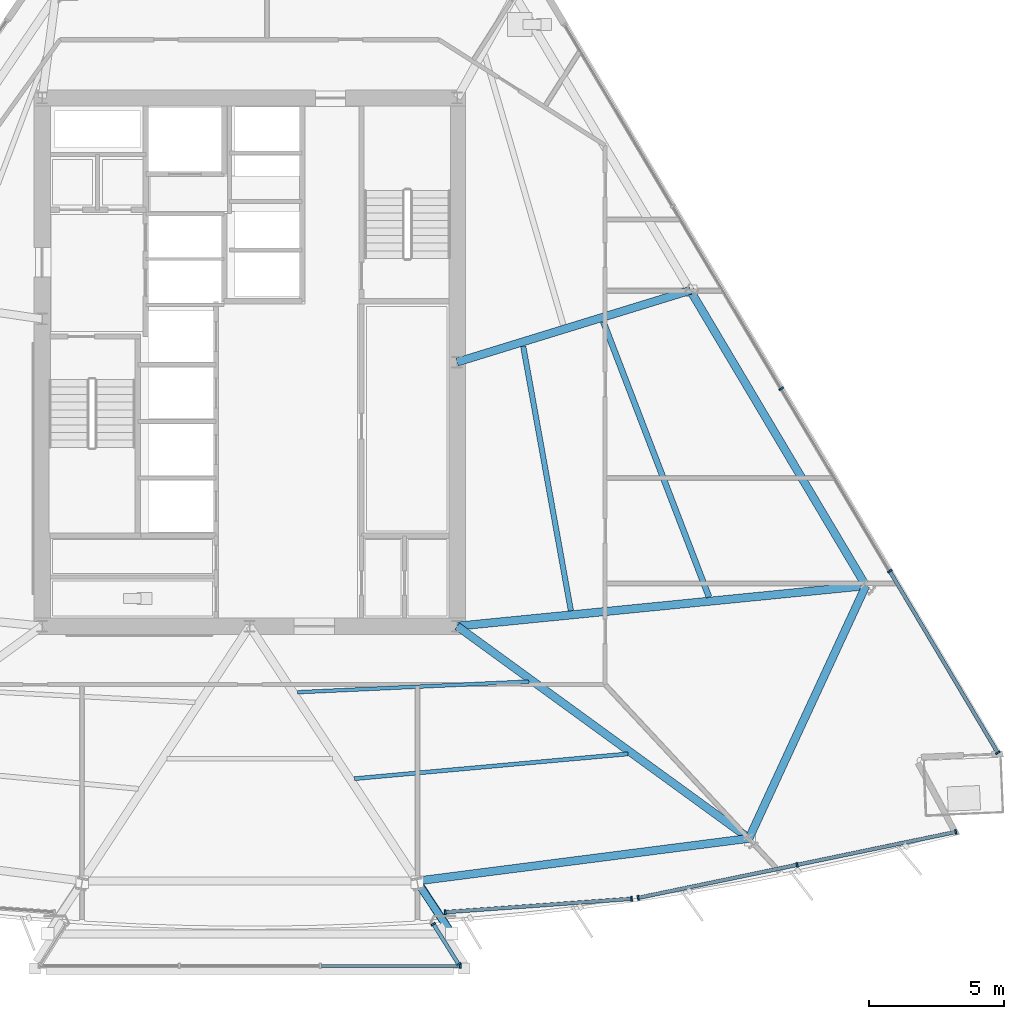
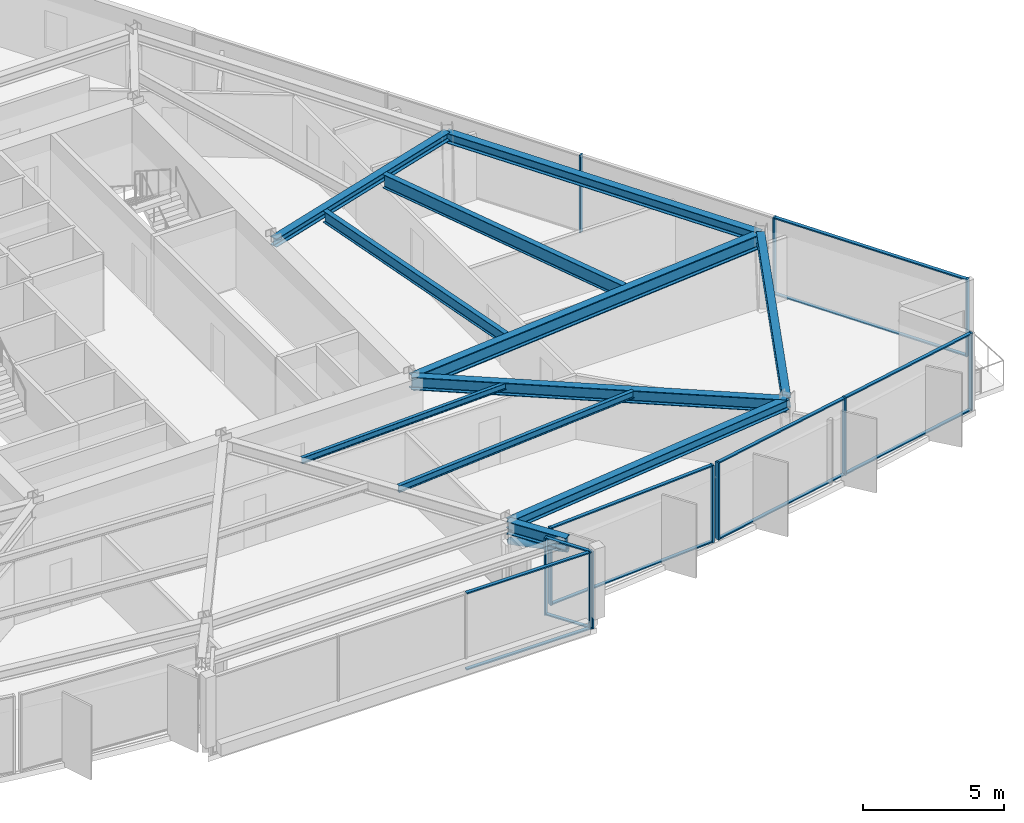
# One storey, part 4 of 15: 24 members, 11 beams, 5 elements without a shape of their own.
"""IFC4 building model written with IfcOpenShell, lengths in metres."""

import ifcopenshell
import ifcopenshell.guid

model = None  # the IFC model being written
_history = None  # IfcOwnerHistory: only IFC2X3 demands one
_inside = {}  # id of a spatial element -> (the spatial element, [elements in it])
_under = {}  # id of a project, library or spatial element -> (it, [spatial elements below it])
_declared = {}  # id of a project -> (the project, [libraries it declares])
_typed = {}  # id of a type object -> (the type object, [elements of that type])
_made_of = {}  # id of a material, layer set ... -> (it, [elements and type objects made of it])


def new_model(schema):
    """Start an empty IFC model of exactly this schema.

    Asked for "IFC4X3", IfcOpenShell would pick the latest addendum, in which some entities
    have other attributes; the version numbers below select the first issue.
    IFC2X3 requires an IfcOwnerHistory on every rooted entity: one is made here for all.
    """
    global model, _history
    if schema == "IFC4X3":
        model = ifcopenshell.file(schema_version=(4, 3, 0, 0))
    else:
        model = ifcopenshell.file(schema=schema)
    _inside.clear()
    _under.clear()
    _declared.clear()
    _typed.clear()
    _made_of.clear()
    _history = None
    if model.schema == "IFC2X3":
        org = make("IfcOrganization", Name="unknown")
        user = make(
            "IfcPersonAndOrganization",
            ThePerson=make("IfcPerson", FamilyName="unknown"),
            TheOrganization=org,
        )
        app = make(
            "IfcApplication",
            ApplicationDeveloper=org,
            Version="unknown",
            ApplicationFullName="unknown",
            ApplicationIdentifier="unknown",
        )
        _history = make(
            "IfcOwnerHistory",
            OwningUser=user,
            OwningApplication=app,
            ChangeAction="ADDED",
            CreationDate=0,
        )
    return model


def make(cls, **values):
    """One entity of the class cls with the attributes given. An attribute that is None is left unset."""
    return model.create_entity(
        cls, **{name: value for name, value in values.items() if value is not None}
    )


def rooted(cls, **values):
    """An entity with a GlobalId (a new one), such as an element, a storey or a relation."""
    return make(cls, GlobalId=ifcopenshell.guid.new(), OwnerHistory=_history, **values)


def si_unit(unit_type, name, prefix=None):
    """IfcSIUnit, for example si_unit("LENGTHUNIT", "METRE", prefix="MILLI")."""
    return make("IfcSIUnit", UnitType=unit_type, Prefix=prefix, Name=name)


def assignment(units):
    """IfcUnitAssignment: the units of a project."""
    return None if units is None else make("IfcUnitAssignment", Units=units)


def point(xyz):
    """IfcCartesianPoint."""
    return None if xyz is None else make("IfcCartesianPoint", Coordinates=xyz)


def direction(xyz):
    """IfcDirection."""
    return None if xyz is None else make("IfcDirection", DirectionRatios=xyz)


def frame(location, z_axis=None, x_axis=None):
    """IfcAxis2Placement3D, a coordinate frame: its origin and axes. An axis left out is left unset."""
    return make(
        "IfcAxis2Placement3D",
        Location=point(location),
        Axis=direction(z_axis),
        RefDirection=direction(x_axis),
    )


def frame_2d(location, x_axis=None):
    """IfcAxis2Placement2D, a coordinate frame in the plane: its origin and x axis."""
    return make(
        "IfcAxis2Placement2D", Location=point(location), RefDirection=direction(x_axis)
    )


def origin():
    """The frame at (0, 0, 0) with its axes left unset."""
    return frame((0.0, 0.0, 0.0))


def origin_2d():
    """The frame at (0, 0) in the plane with its x axis left unset."""
    return frame_2d((0.0, 0.0))


def place(relative_to, where):
    """IfcLocalPlacement: puts the frame where relative to a parent placement (None: the world)."""
    return make(
        "IfcLocalPlacement", PlacementRelTo=relative_to, RelativePlacement=where
    )


def context(
    kind, dimensions, precision=None, world=None, true_north=None, identifier=None
):
    """IfcGeometricRepresentationContext, for example the 3D "Model" context."""
    return make(
        "IfcGeometricRepresentationContext",
        ContextIdentifier=identifier,
        ContextType=kind,
        CoordinateSpaceDimension=dimensions,
        Precision=precision,
        WorldCoordinateSystem=world,
        TrueNorth=true_north,
    )


def subcontext(parent, identifier, kind, view, scale=None):
    """IfcGeometricRepresentationSubContext, for example "Body" below "Model"."""
    return make(
        "IfcGeometricRepresentationSubContext",
        ContextIdentifier=identifier,
        ContextType=kind,
        ParentContext=parent,
        TargetScale=scale,
        TargetView=view,
    )


def project(units=None, contexts=None):
    """IfcProject with its units and contexts."""
    return rooted(
        "IfcProject",
        Name="project",
        RepresentationContexts=contexts,
        UnitsInContext=assignment(units),
    )


def spatial(cls, under=None, at=None, **own):
    """A site, building, storey or space (cls), placed at a placement, below another one or the project."""
    s = rooted(cls, ObjectPlacement=at, **own)
    if under is not None:
        _under.setdefault(under.id(), (under, []))[1].append(s)
    return s


def profile(cls, at=None, kind="AREA", **sizes):
    """A parametric profile (cls). Its sizes go by their IFC names, for example OverallWidth=200.0."""
    return make(cls, ProfileType=kind, Position=at, **sizes)


def rectangle(**sizes):
    """IfcRectangleProfileDef."""
    return profile("IfcRectangleProfileDef", **sizes)


def hollow_circle(**sizes):
    """IfcCircleHollowProfileDef."""
    return profile("IfcCircleHollowProfileDef", **sizes)


def i_section(**sizes):
    """IfcIShapeProfileDef."""
    return profile("IfcIShapeProfileDef", **sizes)


def extrude(swept, where, along, depth):
    """IfcExtrudedAreaSolid: the profile swept, set in the frame where, extruded along a direction by depth."""
    return make(
        "IfcExtrudedAreaSolid",
        SweptArea=swept,
        Position=where,
        ExtrudedDirection=direction(along),
        Depth=depth,
    )


def shape(context_of_items, identifier, shape_type, items):
    """IfcShapeRepresentation: the items that make up one representation, for example the "Body"."""
    return make(
        "IfcShapeRepresentation",
        ContextOfItems=context_of_items,
        RepresentationIdentifier=identifier,
        RepresentationType=shape_type,
        Items=items,
    )


def material(Name=None, Category=None):
    """IfcMaterial."""
    return make("IfcMaterial", Name=Name, Category=Category)


def material_profile(
    of_material, cross_section, Name=None, Category=None, Priority=None
):
    """IfcMaterialProfile: a cross section and its material."""
    return make(
        "IfcMaterialProfile",
        Name=Name,
        Material=of_material,
        Profile=cross_section,
        Priority=Priority,
        Category=Category,
    )


def profile_set(profiles, Name=None, composite=None):
    """IfcMaterialProfileSet."""
    return make(
        "IfcMaterialProfileSet",
        Name=Name,
        MaterialProfiles=profiles,
        CompositeProfile=composite,
    )


def made_of(thing, what):
    """Note that an element or type object is made of a material, layer set ...; save() writes the relation."""
    if what is not None:
        _made_of.setdefault(what.id(), (what, []))[1].append(thing)
    return thing


def type_object(cls, material=None, **own):
    """A type object (cls), such as IfcWallType, which elements share."""
    return made_of(rooted(cls, **own), material)


def element(
    cls,
    number,
    at=None,
    inside=None,
    cuts=None,
    type_object=None,
    material=None,
    context=None,
    identifier="Body",
    shape_type=None,
    held_by="IfcProductDefinitionShape",
    body=None,
    shapes=None,
    **own,
):
    """One element of the class cls, such as IfcWall. Its Tag is "e" and its number.

    at: its placement. inside: the storey or other place that contains it. cuts: it is an
    opening in that element (IfcRelVoidsElement). A single representation is given by context,
    identifier, shape_type and body (its items); several are given by shapes. held_by: the class
    of the entity that holds the representations. save() writes the other relations.
    """
    e = rooted(cls, Tag="e%d" % number, ObjectPlacement=at, **own)
    if body is not None:
        shapes = [shape(context, identifier, shape_type, body)]
    if shapes is not None:
        e.Representation = make(held_by, Representations=shapes)
    if inside is not None:
        _inside.setdefault(inside.id(), (inside, []))[1].append(e)
    if cuts is not None:
        rooted(
            "IfcRelVoidsElement", RelatingBuildingElement=cuts, RelatedOpeningElement=e
        )
    if type_object is not None:
        _typed.setdefault(type_object.id(), (type_object, []))[1].append(e)
    return made_of(e, material)


def aggregate(whole, parts):
    """IfcRelAggregates: a whole, such as a stair, and the parts it consists of."""
    return rooted("IfcRelAggregates", RelatingObject=whole, RelatedObjects=parts)


def save(model, path):
    """Write the relations noted so far, then the file.

    IfcRelAggregates (storeys below a building ...), IfcRelContainedInSpatialStructure (elements
    in a storey), IfcRelDefinesByType, IfcRelAssociatesMaterial and IfcRelDeclares: one each for
    every whole, place, type object, material and project.
    """
    for whole, parts in _under.values():
        aggregate(whole, parts)
    for where, things in _inside.values():
        rooted(
            "IfcRelContainedInSpatialStructure",
            RelatedElements=things,
            RelatingStructure=where,
        )
    for kind, things in _typed.values():
        rooted("IfcRelDefinesByType", RelatedObjects=things, RelatingType=kind)
    for what, things in _made_of.values():
        rooted("IfcRelAssociatesMaterial", RelatedObjects=things, RelatingMaterial=what)
    for by, libraries in _declared.values():
        rooted("IfcRelDeclares", RelatingContext=by, RelatedDefinitions=libraries)
    model.write(path)


model = new_model("IFC4")

# Units and contexts
model_context = context("Model", 3, precision=1e-05, world=origin(), true_north=direction((0.0, 1.0)))
body_context = subcontext(model_context, "Body", "Model", "MODEL_VIEW")
ifc_project = project(units=[si_unit("LENGTHUNIT", "METRE"), si_unit("AREAUNIT", "SQUARE_METRE"), si_unit("VOLUMEUNIT", "CUBIC_METRE"), si_unit("PLANEANGLEUNIT", "RADIAN"), si_unit("MASSUNIT", "GRAM", prefix="KILO")], contexts=[model_context])

# Site, building, storey
site_placement = place(None, origin())
site = spatial("IfcSite", under=ifc_project, at=site_placement, CompositionType="ELEMENT")
building_placement = place(site_placement, origin())
building = spatial("IfcBuilding", under=site, at=building_placement, Name="Savorim Split Tower", CompositionType="ELEMENT")
storey_placement = place(building_placement, frame((0.0, 0.0, 114.89990234375)))
storey = spatial("IfcBuildingStorey", under=building, at=storey_placement, Name="L30", CompositionType="ELEMENT", Elevation=114.89990234375)

# Beams
ifc_material_1 = material(Name="Steel S355", Category="steel")
ifc_material_profile_1 = material_profile(ifc_material_1, i_section(OverallWidth=0.135009765625, OverallDepth=0.27001953125, WebThickness=0.006591796875, FlangeThickness=0.01025390625, FilletRadius=0.014892578125, at=origin_2d()), Name="IPE 270")
ifc_profile_set_1 = profile_set([ifc_material_profile_1], Name="Steel S355")
beam_type_1 = type_object("IfcBeamType", Name="BM-JST-IPE270", PredefinedType="JOIST", material=ifc_profile_set_1)
beam_1_placement = place(storey_placement, frame((1.774169921875, -11.850830078125, 3.215087890625), z_axis=(0.998935582584, 0.046127018622, 0.0), x_axis=(-0.046127018622, 0.998935582584, 0.0)))
element("IfcBeam", 1, at=beam_1_placement, inside=storey, type_object=beam_type_1, Name="L30 Secondary Floor Joist JS-05", PredefinedType="JOIST", context=body_context, shape_type="SweptSolid", body=[
    extrude(i_section(OverallWidth=0.135009765625, OverallDepth=0.27001953125, WebThickness=0.006591796875, FlangeThickness=0.01025390625, FilletRadius=0.014892578125, at=origin_2d()), origin(), (0.0, 0.0, 1.0), 8.590087890625),
])
ifc_material_profile_2 = material_profile(ifc_material_1, i_section(OverallWidth=0.14990234375, OverallDepth=0.300048828125, WebThickness=0.007080078125, FlangeThickness=0.0107421875, FilletRadius=0.014892578125, at=origin_2d()), Name="IPE 300")
ifc_profile_set_2 = profile_set([ifc_material_profile_2], Name="Steel S355")
beam_type_2 = type_object("IfcBeamType", Name="BM-JST-IPE300", PredefinedType="JOIST", material=ifc_profile_set_2)
beam_2_placement = place(storey_placement, frame((3.885009765625, -15.05859375, 3.2001953125), z_axis=(0.995919470972, 0.090246370223, 0.0), x_axis=(-0.090246370223, 0.995919470972, 0.0)))
element("IfcBeam", 2, at=beam_2_placement, inside=storey, type_object=beam_type_2, Name="L30 Secondary Floor Joist JS-04", PredefinedType="JOIST", context=body_context, shape_type="SweptSolid", body=[
    extrude(i_section(OverallWidth=0.14990234375, OverallDepth=0.300048828125, WebThickness=0.007080078125, FlangeThickness=0.0107421875, FilletRadius=0.014892578125, at=origin_2d()), origin(), (0.0, 0.0, 1.0), 10.193359375),
])
ifc_material_profile_3 = material_profile(ifc_material_1, i_section(OverallWidth=0.199951171875, OverallDepth=0.5, WebThickness=0.01025390625, FlangeThickness=0.01611328125, FilletRadius=0.02099609375, at=origin_2d()), Name="IPE 500")
ifc_profile_set_3 = profile_set([ifc_material_profile_3], Name="Steel S355")
beam_type_3 = type_object("IfcBeamType", Name="BM-JST-IPE500", PredefinedType="JOIST", material=ifc_profile_set_3)
beam_3_placement = place(storey_placement, frame((11.917236328125, -8.822021484375, 3.10009765625), z_axis=(-0.177352752344, 0.984147347319, 0.0), x_axis=(-0.984147347319, -0.177352752344, 0.0)))
element("IfcBeam", 3, at=beam_3_placement, inside=storey, type_object=beam_type_3, Name="L30 Secondary Floor Joist JS-08", PredefinedType="JOIST", context=body_context, shape_type="SweptSolid", body=[
    extrude(i_section(OverallWidth=0.199951171875, OverallDepth=0.5, WebThickness=0.01025390625, FlangeThickness=0.01611328125, FilletRadius=0.02099609375, at=origin_2d()), origin(), (0.0, 0.0, 1.0), 9.9677734375),
])
ifc_material_profile_4 = material_profile(ifc_material_1, i_section(OverallWidth=0.219970703125, OverallDepth=0.60009765625, WebThickness=0.011962890625, FlangeThickness=0.01904296875, FilletRadius=0.02392578125, at=origin_2d()), Name="IPE 600")
ifc_profile_set_4 = profile_set([ifc_material_profile_4], Name="Steel S355")
beam_type_4 = type_object("IfcBeamType", Name="BM-JST-IPE600", PredefinedType="JOIST", material=ifc_profile_set_4)
beam_4_placement = place(storey_placement, frame((17.043701171875, -8.31982421875, 3.050048828125), z_axis=(-0.358568121992, 0.93350356287, 0.0), x_axis=(-0.93350356287, -0.358568121992, 0.0)))
element("IfcBeam", 4, at=beam_4_placement, inside=storey, type_object=beam_type_4, Name="L30 Secondary Floor Joist JS-06", PredefinedType="JOIST", context=body_context, shape_type="SweptSolid", body=[
    extrude(i_section(OverallWidth=0.219970703125, OverallDepth=0.60009765625, WebThickness=0.011962890625, FlangeThickness=0.01904296875, FilletRadius=0.02392578125, at=origin_2d()), origin(), (0.0, 0.0, 1.0), 10.948486328125),
])
ifc_material_profile_5 = material_profile(ifc_material_1, i_section(OverallWidth=0.300048828125, OverallDepth=0.360107421875, WebThickness=0.012451171875, FlangeThickness=0.0224609375, FilletRadius=0.027099609375, at=origin_2d()), Name="HEB 360")
ifc_profile_set_5 = profile_set([ifc_material_profile_5], Name="Steel S355")
beam_type_5 = type_object("IfcBeamType", Name="BM-PRI-HEB360", PredefinedType="BEAM", material=ifc_profile_set_5)
beam_5_placement = place(storey_placement, frame((16.345947265625, 3.061279296875, 3.170166015625), z_axis=(-0.955745741976, -0.294193944013, 0.0), x_axis=(0.294193944013, -0.955745741976, 0.0)))
element("IfcBeam", 5, at=beam_5_placement, inside=storey, type_object=beam_type_5, Name="L30 Primary Floor Girder RG-06", PredefinedType="BEAM", context=body_context, shape_type="SweptSolid", body=[
    extrude(i_section(OverallWidth=0.300048828125, OverallDepth=0.360107421875, WebThickness=0.012451171875, FlangeThickness=0.0224609375, FilletRadius=0.027099609375, at=origin_2d()), origin(), (0.0, 0.0, 1.0), 9.04638671875),
])
ifc_material_profile_6 = material_profile(ifc_material_1, i_section(OverallWidth=0.300048828125, OverallDepth=0.550048828125, WebThickness=0.014892578125, FlangeThickness=0.029052734375, FilletRadius=0.027099609375, at=origin_2d()), Name="HEB 550")
ifc_profile_set_6 = profile_set([ifc_material_profile_6], Name="Steel S355")
beam_type_6 = type_object("IfcBeamType", Name="BM-PRI-HEB550", PredefinedType="BEAM", material=ifc_profile_set_6)
beam_6_placement = place(storey_placement, frame((18.527099609375, -17.273681640625, 3.0751953125), z_axis=(-0.808754221886, 0.58814675769, 0.0), x_axis=(-0.58814675769, -0.808754221886, 0.0)))
element("IfcBeam", 6, at=beam_6_placement, inside=storey, type_object=beam_type_6, Name="L30 Primary Floor Girder RG-04", PredefinedType="BEAM", context=body_context, shape_type="SweptSolid", body=[
    extrude(i_section(OverallWidth=0.300048828125, OverallDepth=0.550048828125, WebThickness=0.014892578125, FlangeThickness=0.029052734375, FilletRadius=0.027099609375, at=origin_2d()), origin(), (0.0, 0.0, 1.0), 13.387451171875),
])
beam_7_placement = place(storey_placement, frame((6.20947265625, -18.85498046875, 3.0751953125), z_axis=(0.548933251455, -0.835866188721, 0.0), x_axis=(0.835866188721, 0.548933251455, 0.0)))
element("IfcBeam", 7, at=beam_7_placement, inside=storey, type_object=beam_type_6, Name="L30 Cantilevered Lounge Rib 2", PredefinedType="BEAM", context=body_context, shape_type="SweptSolid", body=[
    extrude(i_section(OverallWidth=0.300048828125, OverallDepth=0.550048828125, WebThickness=0.014892578125, FlangeThickness=0.029052734375, FilletRadius=0.027099609375, at=origin_2d()), origin(), (0.0, 0.0, 1.0), 2.35009765625),
])
ifc_material_2 = material(Name="Steel S460", Category="steel")
ifc_material_profile_7 = material_profile(ifc_material_2, i_section(OverallWidth=0.304931640625, OverallDepth=0.6201171875, WebThickness=0.02099609375, FlangeThickness=0.0400390625, FilletRadius=0.027099609375, at=origin_2d()), Name="HE 600 M")
ifc_profile_set_7 = profile_set([ifc_material_profile_7], Name="Steel S460")
beam_type_7 = type_object("IfcBeamType", Name="BM-PRI-HEM600", PredefinedType="BEAM", material=ifc_profile_set_7)
beam_8_placement = place(storey_placement, frame((22.863037109375, -7.898681640625, 3.0400390625), z_axis=(-0.995134746806, -0.09852327491, 0.0), x_axis=(0.09852327491, -0.995134746806, 0.0)))
element("IfcBeam", 8, at=beam_8_placement, inside=storey, type_object=beam_type_7, Name="L30 Primary Floor Girder RG-05", PredefinedType="BEAM", context=body_context, shape_type="SweptSolid", body=[
    extrude(i_section(OverallWidth=0.304931640625, OverallDepth=0.6201171875, WebThickness=0.02099609375, FlangeThickness=0.0400390625, FilletRadius=0.027099609375, at=origin_2d()), origin(), (0.0, 0.0, 1.0), 15.2373046875),
])
ifc_material_profile_8 = material_profile(ifc_material_1, i_section(OverallWidth=0.300048828125, OverallDepth=0.43994140625, WebThickness=0.011474609375, FlangeThickness=0.02099609375, FilletRadius=0.027099609375, at=origin_2d()), Name="HEA 450")
ifc_profile_set_8 = profile_set([ifc_material_profile_8], Name="Steel S355")
beam_type_8 = type_object("IfcBeamType", Name="BM-SPN-HEA450", PredefinedType="SPANDREL", material=ifc_profile_set_8)
beam_9_placement = place(storey_placement, frame((6.20947265625, -18.85498046875, 3.130126953125), z_axis=(0.991860160312, 0.12733193781, 0.0), x_axis=(-0.12733193781, 0.991860160312, 0.0)))
element("IfcBeam", 9, at=beam_9_placement, inside=storey, type_object=beam_type_8, Name="L30 Perimeter Spandrel Beam 3", PredefinedType="SPANDREL", context=body_context, shape_type="SweptSolid", body=[
    extrude(i_section(OverallWidth=0.300048828125, OverallDepth=0.43994140625, WebThickness=0.011474609375, FlangeThickness=0.02099609375, FilletRadius=0.027099609375, at=origin_2d()), origin(), (0.0, 0.0, 1.0), 12.418701171875),
])
beam_10_placement = place(storey_placement, frame((18.527099609375, -17.273681640625, 3.130126953125), z_axis=(0.41977750636, 0.907627040779, 0.0), x_axis=(-0.907627040779, 0.41977750636, 0.0)))
element("IfcBeam", 10, at=beam_10_placement, inside=storey, type_object=beam_type_8, Name="L30 Perimeter Spandrel Beam 4", PredefinedType="SPANDREL", context=body_context, shape_type="SweptSolid", body=[
    extrude(i_section(OverallWidth=0.300048828125, OverallDepth=0.43994140625, WebThickness=0.011474609375, FlangeThickness=0.02099609375, FilletRadius=0.027099609375, at=origin_2d()), origin(), (0.0, 0.0, 1.0), 10.3291015625),
])
beam_11_placement = place(storey_placement, frame((22.863037109375, -7.898681640625, 3.130126953125), z_axis=(-0.511096037446, 0.859523612536, 0.0), x_axis=(-0.859523612536, -0.511096037446, 0.0)))
element("IfcBeam", 11, at=beam_11_placement, inside=storey, type_object=beam_type_8, Name="L30 Perimeter Spandrel Beam 5", PredefinedType="SPANDREL", context=body_context, shape_type="SweptSolid", body=[
    extrude(i_section(OverallWidth=0.300048828125, OverallDepth=0.43994140625, WebThickness=0.011474609375, FlangeThickness=0.02099609375, FilletRadius=0.027099609375, at=origin_2d()), origin(), (0.0, 0.0, 1.0), 12.751220703125),
])

# Curtain wall, members
ifc_material_3 = material(Name="Dark Ceramic-Fritted Insulated Glass", Category="glass")
curtain_wall_type_1 = type_object("IfcCurtainWallType", Name="CW-TWR-FRIT-A", PredefinedType="NOTDEFINED", material=ifc_material_3)
curtain_wall_1_placement = place(storey_placement, origin())
curtain_wall_1 = element("IfcCurtainWall", 12, at=curtain_wall_1_placement, inside=storey, type_object=curtain_wall_type_1, Name="L30 Curtain Wall CW-L30-SF3A", PredefinedType="NOTDEFINED")
ifc_material_4 = material(Name="Charcoal Anodised Aluminium", Category="aluminium")
ifc_material_profile_9 = material_profile(ifc_material_4, rectangle(XDim=0.179931640625, YDim=0.06494140625, at=origin_2d()), Name="ALU-M 180x65")
ifc_profile_set_9 = profile_set([ifc_material_profile_9], Name="Charcoal Anodised Aluminium")
member_type_1 = type_object("IfcMemberType", Name="CWM-180x65", PredefinedType="MULLION", material=ifc_profile_set_9)
member_1_placement = place(storey_placement, frame((7.253662109375, -20.010498046875, 0.0), z_axis=(0.0, 0.0, 1.0), x_axis=(-0.071548593758, 0.997437115176, 0.0)))
member_1 = element("IfcMember", 13, at=member_1_placement, type_object=member_type_1, Name="CW-02 mullion 1", PredefinedType="MULLION", context=body_context, shape_type="SweptSolid", body=[
    extrude(rectangle(XDim=0.179931640625, YDim=0.06494140625, at=origin_2d()), origin(), (0.0, 0.0, 1.0), 3.35009765625),
])
member_2_placement = place(storey_placement, frame((14.170166015625, -19.514404296875, 0.0), z_axis=(0.0, 0.0, 1.0), x_axis=(-0.071548593758, 0.997437115176, 0.0)))
member_2 = element("IfcMember", 14, at=member_2_placement, type_object=member_type_1, Name="CW-02 mullion 2", PredefinedType="MULLION", context=body_context, shape_type="SweptSolid", body=[
    extrude(rectangle(XDim=0.179931640625, YDim=0.06494140625, at=origin_2d()), origin(), (0.0, 0.0, 1.0), 3.35009765625),
])

curtain_wall_2_placement = place(storey_placement, origin())
curtain_wall_2 = element("IfcCurtainWall", 15, at=curtain_wall_2_placement, inside=storey, type_object=curtain_wall_type_1, Name="L30 Curtain Wall CW-L30-SF4A", PredefinedType="NOTDEFINED")
member_3_placement = place(storey_placement, frame((14.416259765625, -19.47998046875, 0.0), z_axis=(0.0, 0.0, 1.0), x_axis=(-0.203216307351, 0.979133868491, 0.0)))
member_3 = element("IfcMember", 16, at=member_3_placement, type_object=member_type_1, Name="CW-02 mullion 1", PredefinedType="MULLION", context=body_context, shape_type="SweptSolid", body=[
    extrude(rectangle(XDim=0.179931640625, YDim=0.06494140625, at=origin_2d()), origin(), (0.0, 0.0, 1.0), 3.35009765625),
])
member_4_placement = place(storey_placement, frame((20.30859375, -18.257080078125, 0.0), z_axis=(0.0, 0.0, 1.0), x_axis=(-0.203216307351, 0.979133868491, 0.0)))
member_4 = element("IfcMember", 17, at=member_4_placement, type_object=member_type_1, Name="CW-02 mullion 2", PredefinedType="MULLION", context=body_context, shape_type="SweptSolid", body=[
    extrude(rectangle(XDim=0.179931640625, YDim=0.06494140625, at=origin_2d()), origin(), (0.0, 0.0, 1.0), 3.35009765625),
])
member_5_placement = place(storey_placement, frame((26.201171875, -17.0341796875, 0.0), z_axis=(0.0, 0.0, 1.0), x_axis=(-0.203216307351, 0.979133868491, 0.0)))
member_5 = element("IfcMember", 18, at=member_5_placement, type_object=member_type_1, Name="CW-02 mullion 3", PredefinedType="MULLION", context=body_context, shape_type="SweptSolid", body=[
    extrude(rectangle(XDim=0.179931640625, YDim=0.06494140625, at=origin_2d()), origin(), (0.0, 0.0, 1.0), 3.35009765625),
])

# Curtain wall, member
curtain_wall_type_2 = type_object("IfcCurtainWallType", Name="CW-BAY-LOUNGE", PredefinedType="NOTDEFINED", material=ifc_material_3)
curtain_wall_3_placement = place(storey_placement, origin())
curtain_wall_3 = element("IfcCurtainWall", 19, at=curtain_wall_3_placement, inside=storey, type_object=curtain_wall_type_2, Name="L30 Curtain Wall CW-L30-BAYF", PredefinedType="NOTDEFINED")
member_6_placement = place(storey_placement, frame((7.814453125, -21.99951171875, 0.0), z_axis=(0.0, 0.0, 1.0), x_axis=(0.0, 1.0, 0.0)))
member_6 = element("IfcMember", 20, at=member_6_placement, type_object=member_type_1, Name="CW-04 mullion 4", PredefinedType="MULLION", context=body_context, shape_type="SweptSolid", body=[
    extrude(rectangle(XDim=0.179931640625, YDim=0.06494140625, at=origin_2d()), origin(), (0.0, 0.0, 1.0), 3.35009765625),
])

# Curtain wall, members
curtain_wall_4_placement = place(storey_placement, origin())
curtain_wall_4 = element("IfcCurtainWall", 21, at=curtain_wall_4_placement, inside=storey, type_object=curtain_wall_type_2, Name="L30 Curtain Wall CW-L30-BAYE", PredefinedType="NOTDEFINED")
member_7_placement = place(storey_placement, frame((7.756103515625, -21.951416015625, 0.0), z_axis=(0.0, 0.0, 1.0), x_axis=(-0.847130755522, -0.531384496432, 0.0)))
member_7 = element("IfcMember", 22, at=member_7_placement, type_object=member_type_1, Name="CW-04 mullion 1", PredefinedType="MULLION", context=body_context, shape_type="SweptSolid", body=[
    extrude(rectangle(XDim=0.179931640625, YDim=0.06494140625, at=origin_2d()), origin(), (0.0, 0.0, 1.0), 3.35009765625),
])
member_8_placement = place(storey_placement, frame((6.8154296875, -20.4521484375, 0.0), z_axis=(0.0, 0.0, 1.0), x_axis=(-0.847130755522, -0.531384496432, 0.0)))
member_8 = element("IfcMember", 23, at=member_8_placement, type_object=member_type_1, Name="CW-04 mullion 2", PredefinedType="MULLION", context=body_context, shape_type="SweptSolid", body=[
    extrude(rectangle(XDim=0.179931640625, YDim=0.06494140625, at=origin_2d()), origin(), (0.0, 0.0, 1.0), 3.35009765625),
])

curtain_wall_5_placement = place(storey_placement, origin())
curtain_wall_5 = element("IfcCurtainWall", 24, at=curtain_wall_5_placement, inside=storey, type_object=curtain_wall_type_1, Name="L30 Curtain Wall CW-L30-EAST", PredefinedType="NOTDEFINED")
member_9_placement = place(storey_placement, frame((27.75634765625, -14.09765625, 0.0), z_axis=(0.0, 0.0, 1.0), x_axis=(-0.859525409745, -0.51109301502, 0.0)))
member_9 = element("IfcMember", 25, at=member_9_placement, type_object=member_type_1, Name="CW-02 mullion 1", PredefinedType="MULLION", context=body_context, shape_type="SweptSolid", body=[
    extrude(rectangle(XDim=0.179931640625, YDim=0.06494140625, at=origin_2d()), origin(), (0.0, 0.0, 1.0), 3.35009765625),
])
member_10_placement = place(storey_placement, frame((23.748046875, -7.356689453125, 0.0), z_axis=(0.0, 0.0, 1.0), x_axis=(-0.859525409745, -0.51109301502, 0.0)))
member_10 = element("IfcMember", 26, at=member_10_placement, type_object=member_type_1, Name="CW-02 mullion 2", PredefinedType="MULLION", context=body_context, shape_type="SweptSolid", body=[
    extrude(rectangle(XDim=0.179931640625, YDim=0.06494140625, at=origin_2d()), origin(), (0.0, 0.0, 1.0), 3.35009765625),
])
member_11_placement = place(storey_placement, frame((19.72314453125, -0.587890625, 0.0), z_axis=(0.0, 0.0, 1.0), x_axis=(-0.859525409745, -0.51109301502, 0.0)))
member_11 = element("IfcMember", 27, at=member_11_placement, type_object=member_type_1, Name="CW-02 mullion 3", PredefinedType="MULLION", context=body_context, shape_type="SweptSolid", body=[
    extrude(rectangle(XDim=0.179931640625, YDim=0.06494140625, at=origin_2d()), origin(), (0.0, 0.0, 1.0), 3.35009765625),
])

# Member
ifc_material_profile_10 = material_profile(ifc_material_4, rectangle(XDim=0.139892578125, YDim=0.054931640625, at=origin_2d()), Name="ALU-T 140x55")
ifc_profile_set_10 = profile_set([ifc_material_profile_10], Name="Charcoal Anodised Aluminium")
member_type_2 = type_object("IfcMemberType", Name="CWT-140x55", PredefinedType="USERDEFINED", material=ifc_profile_set_10)
member_12_placement = place(storey_placement, frame((7.2861328125, -20.008056640625, 0.027587890625), z_axis=(0.997437548387, 0.071542554246, 0.0), x_axis=(-0.071542554246, 0.997437548387, 0.0)))
member_12 = element("IfcMember", 28, at=member_12_placement, type_object=member_type_2, Name="CW-02 transom 1.1", ObjectType="TRANSOM", PredefinedType="USERDEFINED", context=body_context, shape_type="SweptSolid", body=[
    extrude(rectangle(XDim=0.139892578125, YDim=0.054931640625, at=origin_2d()), origin(), (0.0, 0.0, 1.0), 6.869384765625),
])

member_13_placement = place(storey_placement, frame((7.2861328125, -20.008056640625, 3.322509765625), z_axis=(0.997437548387, 0.071542554246, 0.0), x_axis=(-0.071542554246, 0.997437548387, 0.0)))
member_13 = element("IfcMember", 29, at=member_13_placement, type_object=member_type_2, Name="CW-02 transom 1.2", ObjectType="TRANSOM", PredefinedType="USERDEFINED", context=body_context, shape_type="SweptSolid", body=[
    extrude(rectangle(XDim=0.139892578125, YDim=0.054931640625, at=origin_2d()), origin(), (0.0, 0.0, 1.0), 6.869384765625),
])

aggregate(curtain_wall_1, [member_1, member_2, member_12, member_13])

member_14_placement = place(storey_placement, frame((14.4482421875, -19.473388671875, 0.027587890625), z_axis=(0.979133683494, 0.203217198698, 0.0), x_axis=(-0.203217198698, 0.979133683494, 0.0)))
member_14 = element("IfcMember", 30, at=member_14_placement, type_object=member_type_2, Name="CW-02 transom 1.1", ObjectType="TRANSOM", PredefinedType="USERDEFINED", context=body_context, shape_type="SweptSolid", body=[
    extrude(rectangle(XDim=0.139892578125, YDim=0.054931640625, at=origin_2d()), origin(), (0.0, 0.0, 1.0), 5.952880859375),
])

member_15_placement = place(storey_placement, frame((14.4482421875, -19.473388671875, 3.322509765625), z_axis=(0.979133683494, 0.203217198698, 0.0), x_axis=(-0.203217198698, 0.979133683494, 0.0)))
member_15 = element("IfcMember", 31, at=member_15_placement, type_object=member_type_2, Name="CW-02 transom 1.2", ObjectType="TRANSOM", PredefinedType="USERDEFINED", context=body_context, shape_type="SweptSolid", body=[
    extrude(rectangle(XDim=0.139892578125, YDim=0.054931640625, at=origin_2d()), origin(), (0.0, 0.0, 1.0), 5.952880859375),
])

member_16_placement = place(storey_placement, frame((20.340576171875, -18.25048828125, 0.027587890625), z_axis=(0.979133683494, 0.203217198698, 0.0), x_axis=(-0.203217198698, 0.979133683494, 0.0)))
member_16 = element("IfcMember", 32, at=member_16_placement, type_object=member_type_2, Name="CW-02 transom 2.1", ObjectType="TRANSOM", PredefinedType="USERDEFINED", context=body_context, shape_type="SweptSolid", body=[
    extrude(rectangle(XDim=0.139892578125, YDim=0.054931640625, at=origin_2d()), origin(), (0.0, 0.0, 1.0), 5.952880859375),
])

member_17_placement = place(storey_placement, frame((20.340576171875, -18.25048828125, 3.322509765625), z_axis=(0.979133683494, 0.203217198698, 0.0), x_axis=(-0.203217198698, 0.979133683494, 0.0)))
member_17 = element("IfcMember", 33, at=member_17_placement, type_object=member_type_2, Name="CW-02 transom 2.2", ObjectType="TRANSOM", PredefinedType="USERDEFINED", context=body_context, shape_type="SweptSolid", body=[
    extrude(rectangle(XDim=0.139892578125, YDim=0.054931640625, at=origin_2d()), origin(), (0.0, 0.0, 1.0), 5.952880859375),
])

aggregate(curtain_wall_2, [member_3, member_4, member_5, member_14, member_15, member_16, member_17])

member_18_placement = place(storey_placement, frame((2.648193359375, -21.99951171875, 0.027587890625), z_axis=(1.0, 0.0, 0.0), x_axis=(0.0, 1.0, 0.0)))
member_18 = element("IfcMember", 34, at=member_18_placement, type_object=member_type_2, Name="CW-04 transom 3.1", ObjectType="TRANSOM", PredefinedType="USERDEFINED", context=body_context, shape_type="SweptSolid", body=[
    extrude(rectangle(XDim=0.139892578125, YDim=0.054931640625, at=origin_2d()), origin(), (0.0, 0.0, 1.0), 5.1337890625),
])

member_19_placement = place(storey_placement, frame((2.648193359375, -21.99951171875, 3.322509765625), z_axis=(1.0, 0.0, 0.0), x_axis=(0.0, 1.0, 0.0)))
member_19 = element("IfcMember", 35, at=member_19_placement, type_object=member_type_2, Name="CW-04 transom 3.2", ObjectType="TRANSOM", PredefinedType="USERDEFINED", context=body_context, shape_type="SweptSolid", body=[
    extrude(rectangle(XDim=0.139892578125, YDim=0.054931640625, at=origin_2d()), origin(), (0.0, 0.0, 1.0), 5.1337890625),
])

aggregate(curtain_wall_3, [member_6, member_18, member_19])

member_20_placement = place(storey_placement, frame((7.73876953125, -21.923828125, 0.027587890625), z_axis=(-0.531388323882, 0.847128354644, 0.0), x_axis=(-0.847128354644, -0.531388323882, 0.0)))
member_20 = element("IfcMember", 36, at=member_20_placement, type_object=member_type_2, Name="CW-04 transom 1.1", ObjectType="TRANSOM", PredefinedType="USERDEFINED", context=body_context, shape_type="SweptSolid", body=[
    extrude(rectangle(XDim=0.139892578125, YDim=0.054931640625, at=origin_2d()), origin(), (0.0, 0.0, 1.0), 1.705078125),
])

member_21_placement = place(storey_placement, frame((7.73876953125, -21.923828125, 3.322509765625), z_axis=(-0.531388323882, 0.847128354644, 0.0), x_axis=(-0.847128354644, -0.531388323882, 0.0)))
member_21 = element("IfcMember", 37, at=member_21_placement, type_object=member_type_2, Name="CW-04 transom 1.2", ObjectType="TRANSOM", PredefinedType="USERDEFINED", context=body_context, shape_type="SweptSolid", body=[
    extrude(rectangle(XDim=0.139892578125, YDim=0.054931640625, at=origin_2d()), origin(), (0.0, 0.0, 1.0), 1.705078125),
])

aggregate(curtain_wall_4, [member_7, member_8, member_20, member_21])

member_22_placement = place(storey_placement, frame((27.73974609375, -14.069580078125, 0.027587890625), z_axis=(-0.511107986277, 0.859516507325, 0.0), x_axis=(-0.859516507325, -0.511107986277, 0.0)))
member_22 = element("IfcMember", 38, at=member_22_placement, type_object=member_type_2, Name="CW-02 transom 1.1", ObjectType="TRANSOM", PredefinedType="USERDEFINED", context=body_context, shape_type="SweptSolid", body=[
    extrude(rectangle(XDim=0.139892578125, YDim=0.054931640625, at=origin_2d()), origin(), (0.0, 0.0, 1.0), 7.77734375),
])

member_23_placement = place(storey_placement, frame((27.73974609375, -14.069580078125, 3.322509765625), z_axis=(-0.511107986277, 0.859516507325, 0.0), x_axis=(-0.859516507325, -0.511107986277, 0.0)))
member_23 = element("IfcMember", 39, at=member_23_placement, type_object=member_type_2, Name="CW-02 transom 1.2", ObjectType="TRANSOM", PredefinedType="USERDEFINED", context=body_context, shape_type="SweptSolid", body=[
    extrude(rectangle(XDim=0.139892578125, YDim=0.054931640625, at=origin_2d()), origin(), (0.0, 0.0, 1.0), 7.77734375),
])

aggregate(curtain_wall_5, [member_9, member_10, member_11, member_22, member_23])

ifc_material_profile_11 = material_profile(ifc_material_1, hollow_circle(Radius=0.136474609375, WallThickness=0.01611328125, at=origin_2d()), Name="CHS 273x16")
ifc_profile_set_11 = profile_set([ifc_material_profile_11], Name="Steel S355")
member_type_3 = type_object("IfcMemberType", Name="MBR-CRN-CHS273", PredefinedType="BRACE", material=ifc_profile_set_11)
member_24_placement = place(storey_placement, frame((6.21728515625, -18.8955078125, 2.4501953125), z_axis=(0.547638833258, -0.821666794759, 0.157972740363), x_axis=(0.83211527225, 0.554602716987, 0.0)))
element("IfcMember", 40, at=member_24_placement, inside=storey, type_object=member_type_3, Name="L30 Cantilevered Bay Support Strut 2", PredefinedType="BRACE", context=body_context, shape_type="SweptSolid", body=[
    extrude(hollow_circle(Radius=0.136474609375, WallThickness=0.01611328125, at=origin_2d()), origin(), (0.0, 0.0, 1.0), 2.34130859375),
])

save(model, "model.ifc")
